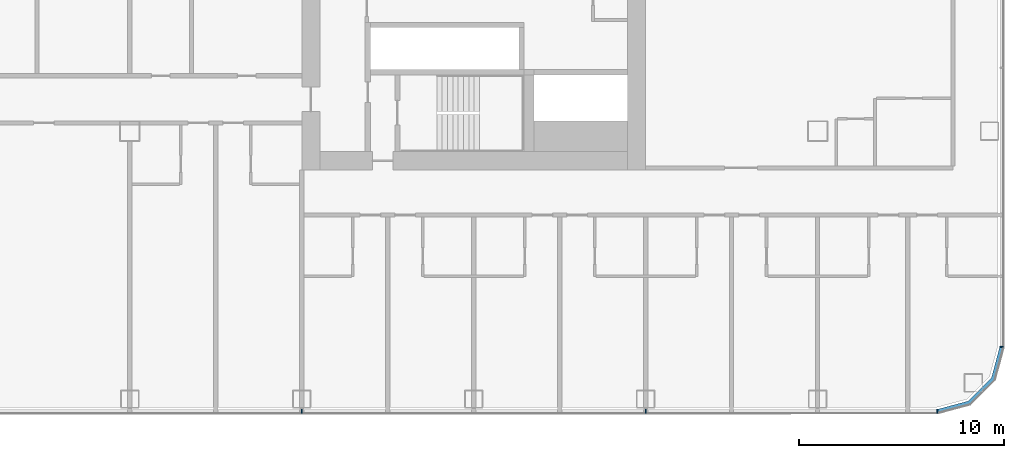
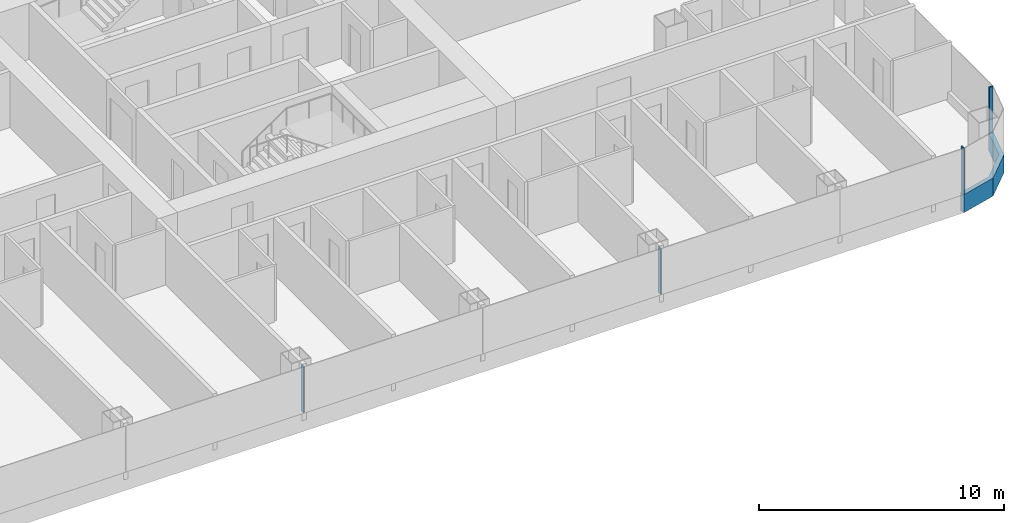
# One storey, part 9 of 29: 5 members, 3 elements without a shape of their own.
"""IFC4 building model written with IfcOpenShell, lengths in metres."""

from ifc_helpers import new_model, si_unit, direction, frame, origin, origin_2d, place, context, subcontext, project, spatial, polyline, rectangle, outline, extrude, material, layer, layer_set, material_profile, profile_set, type_object, element, aggregate, save


model = new_model("IFC4")

# Units and contexts
model_context = context("Model", 3, precision=1e-05, world=origin(), true_north=direction((0.0, 1.0)))
body_context = subcontext(model_context, "Body", "Model", "MODEL_VIEW")
ifc_project = project(units=[si_unit("LENGTHUNIT", "METRE"), si_unit("AREAUNIT", "SQUARE_METRE"), si_unit("VOLUMEUNIT", "CUBIC_METRE"), si_unit("PLANEANGLEUNIT", "RADIAN"), si_unit("MASSUNIT", "GRAM", prefix="KILO")], contexts=[model_context])

# Site, building, storey
site_placement = place(None, origin())
site = spatial("IfcSite", under=ifc_project, at=site_placement, CompositionType="ELEMENT")
building_placement = place(site_placement, origin())
building = spatial("IfcBuilding", under=site, at=building_placement, Name="Hakoniwa Tower and Hamabe Station Hall", CompositionType="ELEMENT")
storey_placement = place(building_placement, frame((0.0, 0.0, 23.0)))
storey = spatial("IfcBuildingStorey", under=building, at=storey_placement, Name="L05", CompositionType="ELEMENT", Elevation=23.0)

# Curtain wall, member
ifc_material_1 = material(Name="Dark low-e laminated glass", Category="glass")
ifc_layer = layer(ifc_material_1, 0.199951171875)
ifc_layer_set = layer_set([ifc_layer], Name="CW-1 UNITISED GUEST")
curtain_wall_type = type_object("IfcCurtainWallType", Name="CW-1 UNITISED GUEST", PredefinedType="NOTDEFINED", material=ifc_layer_set)
curtain_wall_1_placement = place(storey_placement, origin())
curtain_wall_1 = element("IfcCurtainWall", 1, at=curtain_wall_1_placement, inside=storey, type_object=curtain_wall_type, Name="CW-1 curtain wall", PredefinedType="NOTDEFINED")
ifc_material_2 = material(Name="Aluminium 6063-T5 black anodised", Category="aluminium")
ifc_material_profile_1 = material_profile(ifc_material_2, rectangle(XDim=0.199951171875, YDim=0.89990234375, at=origin_2d()), Name="CW SLAB-EDGE BAND 900X200")
ifc_profile_set_1 = profile_set([ifc_material_profile_1], Name="Aluminium 6063-T5 black anodised")
member_type_1 = type_object("IfcMemberType", Name="CW SLAB-EDGE BAND 900X200", PredefinedType="USERDEFINED", material=ifc_profile_set_1)
member_1_placement = place(storey_placement, frame((0.0, 0.0, -0.550048828125)))
member_1 = element("IfcMember", 2, at=member_1_placement, type_object=member_type_1, Name="CW-1 transom", ObjectType="TRANSOM", PredefinedType="USERDEFINED", context=body_context, shape_type="SweptSolid", body=[
    extrude(outline(polyline([(47.839599609375, -20.300048828125), (49.455322265625, -19.866943359375), (50.6669921875, -18.6552734375), (51.10009765625, -17.03955078125), (50.90673828125, -16.98779296875), (50.48779296875, -18.5517578125), (49.351806640625, -19.687744140625), (47.787841796875, -20.10693359375), (47.839599609375, -20.300048828125)])), origin(), (0.0, 0.0, 1.0), 0.900146484375),
])
aggregate(curtain_wall_1, [member_1])

curtain_wall_2_placement = place(storey_placement, origin())
curtain_wall_2 = element("IfcCurtainWall", 3, at=curtain_wall_2_placement, inside=storey, type_object=curtain_wall_type, Name="CW-1 curtain wall", PredefinedType="NOTDEFINED")
ifc_material_3 = material(Name="Aluminium 6063-T5 black anodised", Category="aluminium")
ifc_material_profile_2 = material_profile(ifc_material_3, rectangle(XDim=0.06005859375, YDim=0.179931640625, at=origin_2d()), Name="CW-1 MULLION 60X180")
ifc_profile_set_2 = profile_set([ifc_material_profile_2], Name="Aluminium 6063-T5 black anodised")
member_type_2 = type_object("IfcMemberType", Name="CW-1 MULLION 60X180", PredefinedType="MULLION", material=ifc_profile_set_2)
member_2_placement = place(storey_placement, frame((50.98193359375, -17.03955078125, 0.35009765625), z_axis=(0.0, 0.0, 1.0), x_axis=(0.0, 1.0, 0.0)))
member_2 = element("IfcMember", 4, at=member_2_placement, type_object=member_type_2, Name="CW-1 mullion", PredefinedType="MULLION", context=body_context, shape_type="SweptSolid", body=[
    extrude(rectangle(XDim=0.06005859375, YDim=0.179931640625, at=origin_2d()), origin(), (0.0, 0.0, 1.0), 2.2998046875),
])
aggregate(curtain_wall_2, [member_2])

# Curtain wall, members
curtain_wall_3_placement = place(storey_placement, origin())
curtain_wall_3 = element("IfcCurtainWall", 5, at=curtain_wall_3_placement, inside=storey, type_object=curtain_wall_type, Name="CW-1 curtain wall", PredefinedType="NOTDEFINED")
member_3_placement = place(storey_placement, frame((16.800048828125, -20.181884765625, 0.35009765625), z_axis=(0.0, 0.0, 1.0), x_axis=(1.0, 0.0, 0.0)))
member_3 = element("IfcMember", 6, at=member_3_placement, type_object=member_type_2, Name="CW-1 mullion", PredefinedType="MULLION", context=body_context, shape_type="SweptSolid", body=[
    extrude(rectangle(XDim=0.06005859375, YDim=0.179931640625, at=origin_2d()), origin(), (0.0, 0.0, 1.0), 2.2998046875),
])
member_4_placement = place(storey_placement, frame((33.60009765625, -20.181884765625, 0.35009765625), z_axis=(0.0, 0.0, 1.0), x_axis=(1.0, 0.0, 0.0)))
member_4 = element("IfcMember", 7, at=member_4_placement, type_object=member_type_2, Name="CW-1 mullion", PredefinedType="MULLION", context=body_context, shape_type="SweptSolid", body=[
    extrude(rectangle(XDim=0.06005859375, YDim=0.179931640625, at=origin_2d()), origin(), (0.0, 0.0, 1.0), 2.2998046875),
])
member_5_placement = place(storey_placement, frame((47.839599609375, -20.181884765625, 0.35009765625), z_axis=(0.0, 0.0, 1.0), x_axis=(1.0, 0.0, 0.0)))
member_5 = element("IfcMember", 8, at=member_5_placement, type_object=member_type_2, Name="CW-1 mullion", PredefinedType="MULLION", context=body_context, shape_type="SweptSolid", body=[
    extrude(rectangle(XDim=0.06005859375, YDim=0.179931640625, at=origin_2d()), origin(), (0.0, 0.0, 1.0), 2.2998046875),
])
aggregate(curtain_wall_3, [member_3, member_4, member_5])

save(model, "model.ifc")
